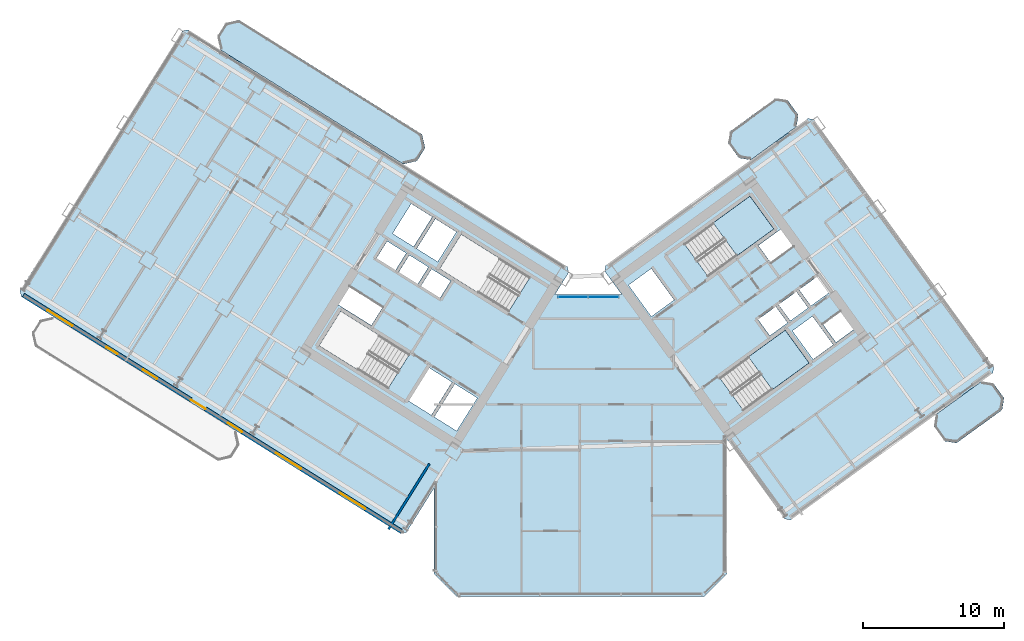
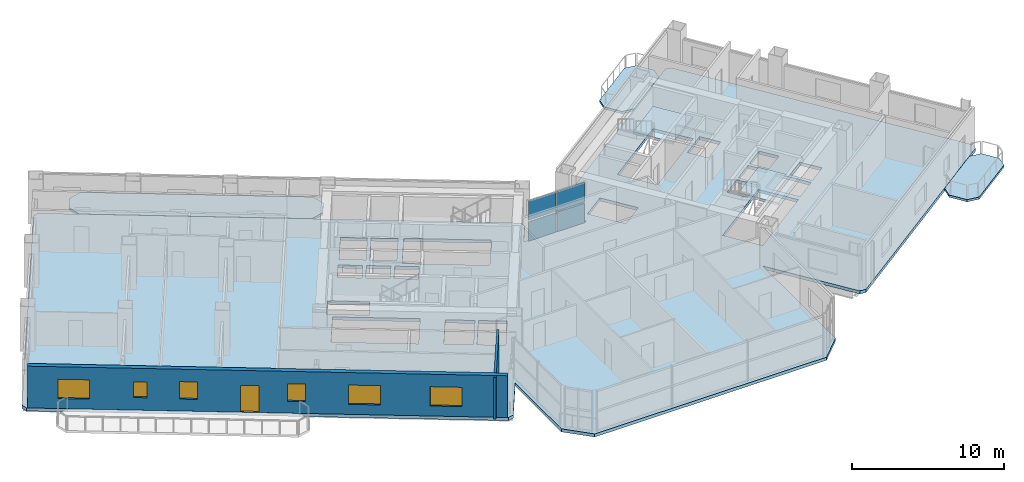
# One storey, part 14 of 28: 6 slabs, 6 windows, 4 plates, 2 walls, 1 door, 7 openings, 3 elements without a shape of their own.
"""IFC4 building model written with IfcOpenShell, lengths in metres."""

from ifc_helpers import new_model, si_unit, direction, frame, frame_2d, origin, origin_2d, place, context, subcontext, project, spatial, polyline, rectangle, outline, extrude, source, transform, mapped, material, layer, layer_set, type_object, element, fill, aggregate, save


model = new_model("IFC4")

# Units and contexts
model_context = context("Model", 3, precision=1e-05, world=origin(), true_north=direction((0.0, 1.0)))
body_context = subcontext(model_context, "Body", "Model", "MODEL_VIEW")
ifc_project = project(units=[si_unit("LENGTHUNIT", "METRE"), si_unit("AREAUNIT", "SQUARE_METRE"), si_unit("VOLUMEUNIT", "CUBIC_METRE"), si_unit("PLANEANGLEUNIT", "RADIAN"), si_unit("MASSUNIT", "GRAM", prefix="KILO")], contexts=[model_context])

# Site, building, storey
site_placement = place(None, origin())
site = spatial("IfcSite", under=ifc_project, at=site_placement, CompositionType="ELEMENT")
building_placement = place(site_placement, origin())
building = spatial("IfcBuilding", under=site, at=building_placement, Name="Tlacorven Tower", CompositionType="ELEMENT")
storey_placement = place(building_placement, frame((0.0, 0.0, 34.800048828125)))
storey = spatial("IfcBuildingStorey", under=building, at=storey_placement, Name="L08", CompositionType="ELEMENT", Elevation=34.800048828125)

# Slabs
ifc_material_1 = material(Name="Precast concrete C45/55", Category="concrete")
ifc_layer_1 = layer(ifc_material_1, 0.179931640625)
ifc_layer_set_1 = layer_set([ifc_layer_1], Name="Precast concrete C45/55")
slab_type_1 = type_object("IfcSlabType", Name="SL-BAL-180", PredefinedType="USERDEFINED", material=ifc_layer_set_1)
slab_1_placement = place(storey_placement, frame((0.0, 0.0, -0.179931640625)))
element("IfcSlab", 1, at=slab_1_placement, inside=storey, type_object=slab_type_1, Name="L08 West Wing Balcony Ribbon IN", ObjectType="BALCONY SLAB", PredefinedType="USERDEFINED", context=body_context, shape_type="SweptSolid", body=[
    extrude(outline(polyline([(30.756591796875, 34.57763671875), (17.781494140625, 42.685546875), (16.81689453125, 42.462890625), (16.236572265625, 41.5341796875), (16.459228515625, 40.569580078125), (29.434326171875, 32.4619140625), (30.39892578125, 32.6845703125), (30.979248046875, 33.613037109375), (30.756591796875, 34.57763671875)])), origin(), (0.0, 0.0, 1.0), 0.179931640625),
])
slab_2_placement = place(storey_placement, frame((0.0, 0.0, -0.179931640625)))
element("IfcSlab", 2, at=slab_2_placement, inside=storey, type_object=slab_type_1, Name="L08 East Wing Balcony Ribbon OUT", ObjectType="BALCONY SLAB", PredefinedType="USERDEFINED", context=body_context, shape_type="SweptSolid", body=[
    extrude(outline(polyline([(68.669921875, 12.678955078125), (71.906005859375, 15.0302734375), (72.03857421875, 15.8681640625), (71.27734375, 16.916015625), (70.439453125, 17.048583984375), (67.203369140625, 14.697509765625), (67.070556640625, 13.859375), (67.831787109375, 12.811767578125), (68.669921875, 12.678955078125)])), origin(), (0.0, 0.0, 1.0), 0.179931640625),
])
slab_3_placement = place(storey_placement, frame((0.0, 0.0, -0.179931640625)))
element("IfcSlab", 3, at=slab_3_placement, inside=storey, type_object=slab_type_1, Name="L08 East Wing Balcony Ribbon IN", ObjectType="BALCONY SLAB", PredefinedType="USERDEFINED", context=body_context, shape_type="SweptSolid", body=[
    extrude(outline(polyline([(54.078125, 32.762939453125), (57.314208984375, 35.114013671875), (57.44677734375, 35.9521484375), (56.685791015625, 36.999755859375), (55.84765625, 37.132568359375), (52.611572265625, 34.78125), (52.478759765625, 33.943359375), (53.239990234375, 32.8955078125), (54.078125, 32.762939453125)])), origin(), (0.0, 0.0, 1.0), 0.179931640625),
])

# Stair, slab
ifc_material_2 = material(Name="Concrete C40/50", Category="concrete")
stair_type = type_object("IfcStairType", Name="ST-CORE-DLG", PredefinedType="HALF_TURN_STAIR", material=ifc_material_2)
stair_1_placement = place(storey_placement, origin())
stair_1 = element("IfcStair", 4, at=stair_1_placement, inside=storey, type_object=stair_type, Name="L08 Protected Exit Stair East 1", PredefinedType="HALF_TURN_STAIR")
ifc_layer_2 = layer(ifc_material_2, 0.199951171875)
ifc_layer_set_2 = layer_set([ifc_layer_2], Name="Concrete C40/50")
slab_type_2 = type_object("IfcSlabType", Name="SL-LND-200", PredefinedType="LANDING", material=ifc_layer_set_2)
slab_4_placement = place(storey_placement, frame((0.0, 0.0, 1.599853515625)))
slab_4 = element("IfcSlab", 5, at=slab_4_placement, type_object=slab_type_2, Name="ST-E1 landing 1", PredefinedType="LANDING", context=body_context, shape_type="SweptSolid", body=[
    extrude(outline(polyline([(53.09765625, 25.962890625), (55.7109375, 27.861572265625), (54.01806640625, 30.19140625), (51.40478515625, 28.29296875), (53.09765625, 25.962890625)])), origin(), (0.0, 0.0, 1.0), 0.2001953125),
])
aggregate(stair_1, [slab_4])

stair_2_placement = place(storey_placement, origin())
stair_2 = element("IfcStair", 6, at=stair_2_placement, inside=storey, type_object=stair_type, Name="L08 Protected Exit Stair East 2", PredefinedType="HALF_TURN_STAIR")
slab_5_placement = place(storey_placement, frame((0.0, 0.0, 1.599853515625)))
slab_5 = element("IfcSlab", 7, at=slab_5_placement, type_object=slab_type_2, Name="ST-E2 landing 1", PredefinedType="LANDING", context=body_context, shape_type="SweptSolid", body=[
    extrude(outline(polyline([(55.601806640625, 16.4599609375), (58.21484375, 18.3583984375), (56.52197265625, 20.6884765625), (53.908935546875, 18.789794921875), (55.601806640625, 16.4599609375)])), origin(), (0.0, 0.0, 1.0), 0.2001953125),
])
aggregate(stair_2, [slab_5])

# Slab
ifc_layer_3 = layer(ifc_material_2, 0.25)
ifc_layer_set_3 = layer_set([ifc_layer_3], Name="Concrete C40/50")
slab_type_3 = type_object("IfcSlabType", Name="SL-TWR-250", PredefinedType="FLOOR", material=ifc_layer_set_3)
slab_6_placement = place(storey_placement, frame((0.0, 0.0, -0.25)))
element("IfcSlab", 8, at=slab_6_placement, inside=storey, type_object=slab_type_3, Name="L08 Boomerang Tower Floor Slab", PredefinedType="FLOOR", context=body_context, shape_type="SweptSolid", body=[
    extrude(outline(polyline([(52.39990234375, 3.39990234375), (50.800048828125, 1.800048828125), (33.199951171875, 1.800048828125), (31.60009765625, 3.39990234375), (31.60009765625, 9.470703125), (29.652587890625, 6.35400390625), (29.2392578125, 6.258544921875), (2.339111328125, 23.067626953125), (2.24365234375, 23.481201171875), (13.75341796875, 41.900634765625), (14.1669921875, 41.99609375), (41.06689453125, 25.18701171875), (41.162353515625, 24.773681640625), (40.178955078125, 23.199951171875), (44.932373046875, 23.199951171875), (43.723876953125, 24.86328125), (43.790283203125, 25.2822265625), (58.1259765625, 35.69775390625), (58.545166015625, 35.63134765625), (71.311767578125, 18.0595703125), (71.245361328125, 17.640380859375), (56.90966796875, 7.224853515625), (56.49072265625, 7.291259765625), (52.39990234375, 12.921630859375), (52.39990234375, 3.39990234375)]), holes=[polyline([(29.865478515625, 18.979736328125), (24.9892578125, 22.02685546875), (23.463134765625, 19.58447265625), (28.33935546875, 16.537353515625), (29.865478515625, 18.979736328125)]), polyline([(38.4169921875, 24.4375), (33.540771484375, 27.484375), (32.0146484375, 25.0419921875), (36.890869140625, 21.9951171875), (38.4169921875, 24.4375)]), polyline([(51.05908203125, 24.481689453125), (55.7109375, 27.861572265625), (54.01806640625, 30.19140625), (49.3662109375, 26.811767578125), (51.05908203125, 24.481689453125)]), polyline([(53.56298828125, 14.978759765625), (58.21484375, 18.3583984375), (56.52197265625, 20.6884765625), (51.8701171875, 17.30859375), (53.56298828125, 14.978759765625)]), polyline([(34.682373046875, 15.87548828125), (33.088134765625, 16.871826171875), (31.62548828125, 14.531005859375), (33.2197265625, 13.534912109375), (34.682373046875, 15.87548828125)]), polyline([(32.884521484375, 16.9990234375), (31.2392578125, 18.02685546875), (29.77685546875, 15.686279296875), (31.421875, 14.658203125), (32.884521484375, 16.9990234375)]), polyline([(47.0234375, 21.648681640625), (48.6416015625, 22.82421875), (47.019287109375, 25.05712890625), (45.401123046875, 23.881591796875), (47.0234375, 21.648681640625)]), polyline([(33.197265625, 27.65185546875), (31.704833984375, 28.58447265625), (30.3798828125, 26.46435546875), (31.87255859375, 25.53173828125), (33.197265625, 27.65185546875)]), polyline([(31.484375, 28.722412109375), (29.99169921875, 29.655029296875), (28.6669921875, 27.534912109375), (30.159423828125, 26.602294921875), (31.484375, 28.722412109375)]), polyline([(32.794921875, 24.17724609375), (31.43798828125, 25.025146484375), (30.685546875, 23.82080078125), (32.042236328125, 22.972900390625), (32.794921875, 24.17724609375)]), polyline([(31.217529296875, 25.162841796875), (29.860595703125, 26.0107421875), (29.108154296875, 24.806396484375), (30.465087890625, 23.958740234375), (31.217529296875, 25.162841796875)]), polyline([(29.64013671875, 26.1484375), (28.283203125, 26.996337890625), (27.53076171875, 25.792236328125), (28.8876953125, 24.9443359375), (29.64013671875, 26.1484375)]), polyline([(55.427734375, 20.288818359375), (56.68994140625, 21.205810546875), (55.855224609375, 22.354736328125), (54.59326171875, 21.437744140625), (55.427734375, 20.288818359375)]), polyline([(56.884033203125, 21.346923828125), (58.146240234375, 22.263916015625), (57.3115234375, 23.41259765625), (56.04931640625, 22.495849609375), (56.884033203125, 21.346923828125)]), polyline([(58.34033203125, 22.405029296875), (59.602294921875, 23.322021484375), (58.767578125, 24.470703125), (57.505615234375, 23.5537109375), (58.34033203125, 22.405029296875)]), polyline([(58.498779296875, 18.614013671875), (59.922607421875, 19.648681640625), (58.453125, 21.671142578125), (57.029296875, 20.63671875), (58.498779296875, 18.614013671875)]), polyline([(27.96142578125, 22.2919921875), (25.603759765625, 23.76513671875), (24.80908203125, 22.4931640625), (27.16650390625, 21.02001953125), (27.96142578125, 22.2919921875)]), polyline([(55.490478515625, 25.4765625), (57.092529296875, 26.640380859375), (56.210693359375, 27.85400390625), (54.60888671875, 26.690185546875), (55.490478515625, 25.4765625)]), polyline([(60.12109375, 19.817626953125), (61.38330078125, 20.734619140625), (60.45458984375, 22.012939453125), (59.192626953125, 21.095947265625), (60.12109375, 19.817626953125)])]), origin(), (0.0, 0.0, 1.0), 0.25),
])

# Curtain wall, plates
ifc_material_3 = material(Name="Dark solar low-E double glazing in aluminium frame", Category="aluminium")
curtain_wall_type = type_object("IfcCurtainWallType", Name="CW-TWR-LOW", PredefinedType="USERDEFINED", material=ifc_material_3)
curtain_wall_placement = place(storey_placement, origin())
curtain_wall = element("IfcCurtainWall", 9, at=curtain_wall_placement, inside=storey, type_object=curtain_wall_type, Name="L08 CW-TWR-LOW Curtain Wall 44", ObjectType="UNITISED CURTAIN WALL", PredefinedType="USERDEFINED")
ifc_material_4 = material(Name="Dark solar double low-E glazing", Category="glass")
ifc_layer_4 = layer(ifc_material_4, 0.031982421875)
ifc_layer_set_4 = layer_set([ifc_layer_4], Name="Dark solar double low-E glazing")
plate_type = type_object("IfcPlateType", Name="CWP-02", PredefinedType="CURTAIN_PANEL", material=ifc_layer_set_4)
shared_shape_1 = source(origin(), body_context, "Body", "SweptSolid", [
    extrude(rectangle(XDim=2.110595703125, YDim=0.031982421875, at=origin_2d()), origin(), (0.0, 0.0, 1.0), 1.552978515625),
])
plate_1_placement = place(storey_placement, frame((41.47802734375, 23.0400390625, 0.06103515625), z_axis=(0.0, 0.0, 1.0), x_axis=(1.0, 0.0, 0.0)))
plate_1 = element("IfcPlate", 10, at=plate_1_placement, type_object=plate_type, Name="CW-L08-044 Glazing Panel 1", PredefinedType="CURTAIN_PANEL", context=body_context, shape_type="MappedRepresentation", body=[
    mapped(shared_shape_1, transform((0.0, 0.0, 0.0), scale=1.0)),
])
plate_2_placement = place(storey_placement, frame((41.47802734375, 23.0400390625, 1.73583984375), z_axis=(0.0, 0.0, 1.0), x_axis=(1.0, 0.0, 0.0)))
plate_2 = element("IfcPlate", 11, at=plate_2_placement, type_object=plate_type, Name="CW-L08-044 Glazing Panel 2", PredefinedType="CURTAIN_PANEL", context=body_context, shape_type="MappedRepresentation", body=[
    mapped(shared_shape_1, transform((0.0, 0.0, 0.0), scale=1.0)),
])
plate_3_placement = place(storey_placement, frame((43.640625, 23.0400390625, 0.06103515625), z_axis=(0.0, 0.0, 1.0), x_axis=(1.0, 0.0, 0.0)))
plate_3 = element("IfcPlate", 12, at=plate_3_placement, type_object=plate_type, Name="CW-L08-044 Glazing Panel 3", PredefinedType="CURTAIN_PANEL", context=body_context, shape_type="MappedRepresentation", body=[
    mapped(shared_shape_1, transform((0.0, 0.0, 0.0), scale=1.0)),
])
plate_4_placement = place(storey_placement, frame((43.640625, 23.0400390625, 1.73583984375), z_axis=(0.0, 0.0, 1.0), x_axis=(1.0, 0.0, 0.0)))
plate_4 = element("IfcPlate", 13, at=plate_4_placement, type_object=plate_type, Name="CW-L08-044 Glazing Panel 4", PredefinedType="CURTAIN_PANEL", context=body_context, shape_type="MappedRepresentation", body=[
    mapped(shared_shape_1, transform((0.0, 0.0, 0.0), scale=1.0)),
])
aggregate(curtain_wall, [plate_1, plate_2, plate_3, plate_4])

# Wall
ifc_material_5 = material(Name="Gypsum plasterboard acoustic partition", Category="gypsum")
ifc_layer_5 = layer(ifc_material_5, 0.159912109375)
ifc_layer_set_5 = layer_set([ifc_layer_5], Name="Gypsum plasterboard acoustic partition")
wall_type_1 = type_object("IfcWallType", Name="WL-DEM-160", PredefinedType="PARTITIONING", material=ifc_layer_set_5)
wall_1_placement = place(storey_placement, frame((31.282470703125, 11.2080078125, 0.0), z_axis=(0.0, 0.0, 1.0), x_axis=(-0.529938869374, -0.84803584519, 0.0)))
element("IfcWall", 14, at=wall_1_placement, inside=storey, type_object=wall_type_1, Name="L08 WC West Throat Wall", PredefinedType="PARTITIONING", context=body_context, shape_type="SweptSolid", body=[
    extrude(rectangle(XDim=5.47998046875, YDim=0.159912109375, at=frame_2d((2.739990234375, 0.0))), origin(), (0.0, 0.0, 1.0), 3.33984375),
])

# Wall, openings, door, windows
ifc_layer_6 = layer(ifc_material_1, 0.320068359375)
ifc_layer_set_6 = layer_set([ifc_layer_6], Name="Precast concrete C45/55")
wall_type_2 = type_object("IfcWallType", Name="WL-EXT-320", PredefinedType="STANDARD", material=ifc_layer_set_6)
wall_2_placement = place(storey_placement, frame((29.267822265625, 6.429443359375, 0.0), z_axis=(0.0, 0.0, 1.0), x_axis=(-0.848049971435, 0.529916263149, 0.0)))
wall_2 = element("IfcWall", 15, at=wall_2_placement, inside=storey, type_object=wall_type_2, Name="L08 Masonry-Frame Recessed Facade Wall 1", PredefinedType="STANDARD", context=body_context, shape_type="SweptSolid", body=[
    extrude(rectangle(XDim=31.587646484375, YDim=0.320068359375, at=frame_2d((15.7939453125, 0.0))), origin(), (0.0, 0.0, 1.0), 3.349853515625),
])
opening_1_placement = place(wall_2_placement, frame((16.36181640625, 0.0, 0.0)))
opening_1 = element("IfcOpeningElement", 16, at=opening_1_placement, cuts=wall_2, Name="Opening D05", PredefinedType="OPENING", context=body_context, shape_type="SweptSolid", body=[
    extrude(rectangle(XDim=1.199951171875, YDim=2.14990234375, at=frame_2d((0.60009765625, 1.074951171875))), frame((0.0, 0.169921875, 0.0), z_axis=(0.0, -1.0, 0.0), x_axis=(1.0, 0.0, 0.0)), (0.0, 0.0, 1.0), 0.340087890625),
])
opening_2_placement = place(wall_2_placement, frame((2.98876953125, 0.0, 0.800048828125)))
opening_2 = element("IfcOpeningElement", 17, at=opening_2_placement, cuts=wall_2, Name="Opening WN04", PredefinedType="OPENING", context=body_context, shape_type="SweptSolid", body=[
    extrude(rectangle(XDim=2.10009765625, YDim=1.550048828125, at=frame_2d((1.050048828125, 0.77490234375))), frame((0.0, 0.169921875, 0.0), z_axis=(0.0, -1.0, 0.0), x_axis=(1.0, 0.0, 0.0)), (0.0, 0.0, 1.0), 0.340087890625),
])
opening_3_placement = place(wall_2_placement, frame((8.358642578125, 0.0, 0.800048828125)))
opening_3 = element("IfcOpeningElement", 18, at=opening_3_placement, cuts=wall_2, Name="Opening WN04", PredefinedType="OPENING", context=body_context, shape_type="SweptSolid", body=[
    extrude(rectangle(XDim=2.10009765625, YDim=1.550048828125, at=frame_2d((1.050048828125, 0.77490234375))), frame((0.0, 0.169921875, 0.0), z_axis=(0.0, -1.0, 0.0), x_axis=(1.0, 0.0, 0.0)), (0.0, 0.0, 1.0), 0.340087890625),
])
opening_4_placement = place(wall_2_placement, frame((13.28369140625, 0.0, 0.949951171875)))
opening_4 = element("IfcOpeningElement", 19, at=opening_4_placement, cuts=wall_2, Name="Opening WN03", PredefinedType="OPENING", context=body_context, shape_type="SweptSolid", body=[
    extrude(rectangle(XDim=1.199951171875, YDim=1.39990234375, at=frame_2d((0.60009765625, 0.699951171875))), frame((0.0, 0.169921875, 0.0), z_axis=(0.0, -1.0, 0.0), x_axis=(1.0, 0.0, 0.0)), (0.0, 0.0, 1.0), 0.340087890625),
])
opening_5_placement = place(wall_2_placement, frame((20.39013671875, 0.0, 0.949951171875)))
opening_5 = element("IfcOpeningElement", 20, at=opening_5_placement, cuts=wall_2, Name="Opening WN03", PredefinedType="OPENING", context=body_context, shape_type="SweptSolid", body=[
    extrude(rectangle(XDim=1.199951171875, YDim=1.39990234375, at=frame_2d((0.60009765625, 0.699951171875))), frame((0.0, 0.169921875, 0.0), z_axis=(0.0, -1.0, 0.0), x_axis=(1.0, 0.0, 0.0)), (0.0, 0.0, 1.0), 0.340087890625),
])
opening_6_placement = place(wall_2_placement, frame((23.715087890625, 0.0, 1.0)))
opening_6 = element("IfcOpeningElement", 21, at=opening_6_placement, cuts=wall_2, Name="Opening WN05", PredefinedType="OPENING", context=body_context, shape_type="SweptSolid", body=[
    extrude(rectangle(XDim=0.89990234375, YDim=1.25, at=frame_2d((0.449951171875, 0.625))), frame((0.0, 0.169921875, 0.0), z_axis=(0.0, -1.0, 0.0), x_axis=(1.0, 0.0, 0.0)), (0.0, 0.0, 1.0), 0.340087890625),
])
opening_7_placement = place(wall_2_placement, frame((27.480712890625, 0.0, 0.800048828125)))
opening_7 = element("IfcOpeningElement", 22, at=opening_7_placement, cuts=wall_2, Name="Opening WN04", PredefinedType="OPENING", context=body_context, shape_type="SweptSolid", body=[
    extrude(rectangle(XDim=2.10009765625, YDim=1.550048828125, at=frame_2d((1.050048828125, 0.77490234375))), frame((0.0, 0.169921875, 0.0), z_axis=(0.0, -1.0, 0.0), x_axis=(1.0, 0.0, 0.0)), (0.0, 0.0, 1.0), 0.340087890625),
])
ifc_material_6 = material(Name="Powder-coated aluminium and timber door", Category="wood")
door_type = type_object("IfcDoorType", Name="DR-EXT-BALC-1200", OperationType="NOTDEFINED", PredefinedType="DOOR", material=ifc_material_6)
shared_shape_2 = source(origin(), body_context, "Body", "SweptSolid", [
    extrude(rectangle(XDim=1.199951171875, YDim=2.14990234375, at=frame_2d((0.60009765625, 1.074951171875))), frame((0.0, 0.02490234375, 0.0), z_axis=(0.0, -1.0, 0.0), x_axis=(1.0, 0.0, 0.0)), (0.0, 0.0, 1.0), 0.050048828125),
])
door_placement = place(opening_1_placement, origin())
door = element("IfcDoor", 23, at=door_placement, inside=storey, type_object=door_type, Name="L08 Outdoor Access Door BAL-L08-W-OUT", OperationType="SINGLE_SWING_LEFT", OverallHeight=2.14990234375, OverallWidth=1.199951171875, PredefinedType="DOOR", context=body_context, shape_type="MappedRepresentation", body=[
    mapped(shared_shape_2, transform((0.0, 0.0, 0.0), scale=1.0)),
])
fill(opening_1, door)
ifc_material_7 = material(Name="Dark solar low-E double glazing in anodised aluminium frame", Category="aluminium")
window_type_1 = type_object("IfcWindowType", Name="WN-APT-2100X1750", PartitioningType="SINGLE_PANEL", PredefinedType="WINDOW", material=ifc_material_7)
shared_shape_3 = source(origin(), body_context, "Body", "SweptSolid", [
    extrude(rectangle(XDim=2.10009765625, YDim=1.550048828125, at=frame_2d((1.050048828125, 0.77490234375))), frame((0.0, 0.030029296875, 0.0), z_axis=(0.0, -1.0, 0.0), x_axis=(1.0, 0.0, 0.0)), (0.0, 0.0, 1.0), 0.06005859375),
])
window_1_placement = place(opening_2_placement, origin())
window_1 = element("IfcWindow", 24, at=window_1_placement, inside=storey, type_object=window_type_1, Name="L08 Recessed Masonry-Frame Window L08-01.1", OverallHeight=1.550048828125, OverallWidth=2.10009765625, PartitioningType="SINGLE_PANEL", PredefinedType="WINDOW", context=body_context, shape_type="MappedRepresentation", body=[
    mapped(shared_shape_3, transform((0.0, 0.0, 0.0), scale=1.0)),
])
fill(opening_2, window_1)
window_2_placement = place(opening_3_placement, origin())
window_2 = element("IfcWindow", 25, at=window_2_placement, inside=storey, type_object=window_type_1, Name="L08 Recessed Masonry-Frame Window L08-01.2", OverallHeight=1.550048828125, OverallWidth=2.10009765625, PartitioningType="SINGLE_PANEL", PredefinedType="WINDOW", context=body_context, shape_type="MappedRepresentation", body=[
    mapped(shared_shape_3, transform((0.0, 0.0, 0.0), scale=1.0)),
])
fill(opening_3, window_2)
window_3_placement = place(opening_7_placement, origin())
window_3 = element("IfcWindow", 26, at=window_3_placement, inside=storey, type_object=window_type_1, Name="L08 Recessed Masonry-Frame Window L08-01.6", OverallHeight=1.550048828125, OverallWidth=2.10009765625, PartitioningType="SINGLE_PANEL", PredefinedType="WINDOW", context=body_context, shape_type="MappedRepresentation", body=[
    mapped(shared_shape_3, transform((0.0, 0.0, 0.0), scale=1.0)),
])
fill(opening_7, window_3)
window_type_2 = type_object("IfcWindowType", Name="WN-APT-1200X1500", PartitioningType="SINGLE_PANEL", PredefinedType="WINDOW", material=ifc_material_7)
shared_shape_4 = source(origin(), body_context, "Body", "SweptSolid", [
    extrude(rectangle(XDim=1.199951171875, YDim=1.39990234375, at=frame_2d((0.60009765625, 0.699951171875))), frame((0.0, 0.030029296875, 0.0), z_axis=(0.0, -1.0, 0.0), x_axis=(1.0, 0.0, 0.0)), (0.0, 0.0, 1.0), 0.06005859375),
])
window_4_placement = place(opening_4_placement, origin())
window_4 = element("IfcWindow", 27, at=window_4_placement, inside=storey, type_object=window_type_2, Name="L08 Recessed Masonry-Frame Window L08-01.3", OverallHeight=1.39990234375, OverallWidth=1.199951171875, PartitioningType="SINGLE_PANEL", PredefinedType="WINDOW", context=body_context, shape_type="MappedRepresentation", body=[
    mapped(shared_shape_4, transform((0.0, 0.0, 0.0), scale=1.0)),
])
fill(opening_4, window_4)
window_5_placement = place(opening_5_placement, origin())
window_5 = element("IfcWindow", 28, at=window_5_placement, inside=storey, type_object=window_type_2, Name="L08 Recessed Masonry-Frame Window L08-01.4", OverallHeight=1.39990234375, OverallWidth=1.199951171875, PartitioningType="SINGLE_PANEL", PredefinedType="WINDOW", context=body_context, shape_type="MappedRepresentation", body=[
    mapped(shared_shape_4, transform((0.0, 0.0, 0.0), scale=1.0)),
])
fill(opening_5, window_5)
window_type_3 = type_object("IfcWindowType", Name="WN-APT-0900X1350", PartitioningType="SINGLE_PANEL", PredefinedType="WINDOW", material=ifc_material_7)
shared_shape_5 = source(origin(), body_context, "Body", "SweptSolid", [
    extrude(rectangle(XDim=0.89990234375, YDim=1.25, at=frame_2d((0.449951171875, 0.625))), frame((0.0, 0.030029296875, 0.0), z_axis=(0.0, -1.0, 0.0), x_axis=(1.0, 0.0, 0.0)), (0.0, 0.0, 1.0), 0.06005859375),
])
window_6_placement = place(opening_6_placement, origin())
window_6 = element("IfcWindow", 29, at=window_6_placement, inside=storey, type_object=window_type_3, Name="L08 Recessed Masonry-Frame Window L08-01.5", OverallHeight=1.25, OverallWidth=0.89990234375, PartitioningType="SINGLE_PANEL", PredefinedType="WINDOW", context=body_context, shape_type="MappedRepresentation", body=[
    mapped(shared_shape_5, transform((0.0, 0.0, 0.0), scale=1.0)),
])
fill(opening_6, window_6)

save(model, "model.ifc")
